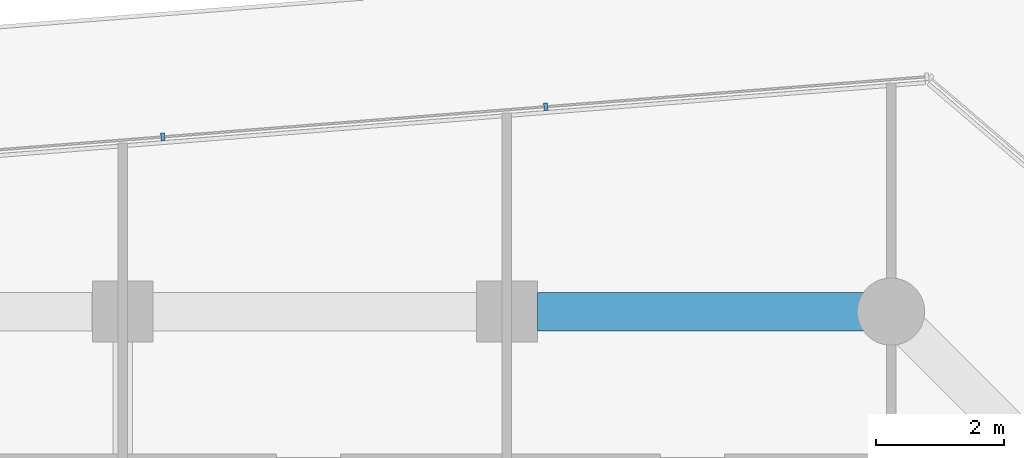
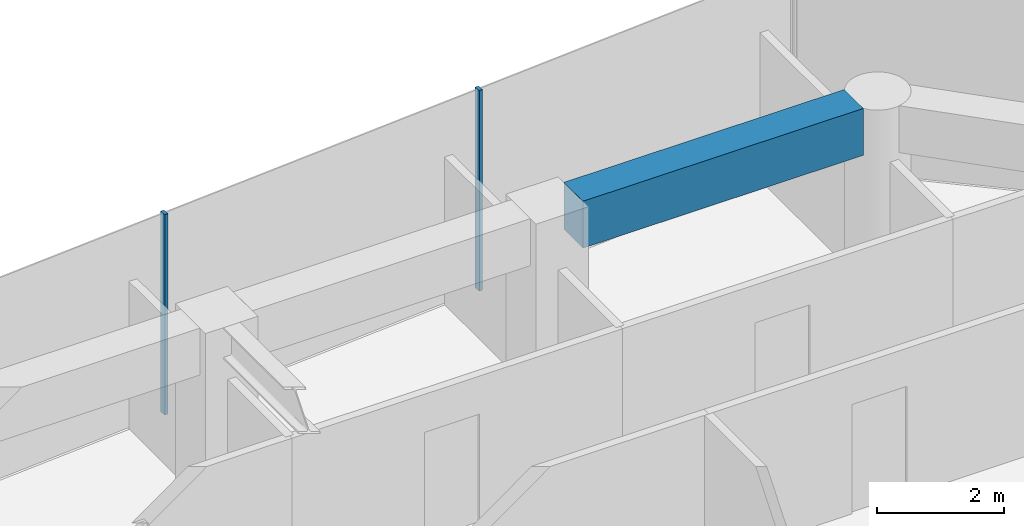
# One storey, part 11 of 28: 2 members, 1 beam, 1 element without a shape of its own.
"""IFC4 building model written with IfcOpenShell, lengths in metres."""

from ifc_helpers import new_model, si_unit, direction, frame, origin, origin_2d, place, context, subcontext, project, spatial, rectangle, extrude, material, layer, layer_set, material_profile, profile_set, type_object, element, aggregate, save


model = new_model("IFC4")

# Units and contexts
model_context = context("Model", 3, precision=1e-05, world=origin(), true_north=direction((0.0, 1.0)))
body_context = subcontext(model_context, "Body", "Model", "MODEL_VIEW")
ifc_project = project(units=[si_unit("LENGTHUNIT", "METRE"), si_unit("AREAUNIT", "SQUARE_METRE"), si_unit("VOLUMEUNIT", "CUBIC_METRE"), si_unit("PLANEANGLEUNIT", "RADIAN"), si_unit("MASSUNIT", "GRAM", prefix="KILO")], contexts=[model_context])

# Site, building, storey
site_placement = place(None, origin())
site = spatial("IfcSite", under=ifc_project, at=site_placement, CompositionType="ELEMENT")
building_placement = place(site_placement, origin())
building = spatial("IfcBuilding", under=site, at=building_placement, Name="Welwitschia Terrace Campus", CompositionType="ELEMENT")
storey_placement = place(building_placement, frame((0.0, 0.0, 71.0)))
storey = spatial("IfcBuildingStorey", under=building, at=storey_placement, Name="L16", CompositionType="ELEMENT", Elevation=71.0)

# Curtain wall, members
ifc_material_1 = material(Name="Bronze anodised aluminium", Category="aluminium")
ifc_layer = layer(ifc_material_1, 0.1201171875)
ifc_layer_set = layer_set([ifc_layer], Name="Bronze anodised aluminium")
curtain_wall_type = type_object("IfcCurtainWallType", Name="Curtain wall CW2 tower 6000", PredefinedType="NOTDEFINED", material=ifc_layer_set)
curtain_wall_placement = place(storey_placement, origin())
curtain_wall = element("IfcCurtainWall", 1, at=curtain_wall_placement, inside=storey, type_object=curtain_wall_type, Name="CW L16.11.0", PredefinedType="NOTDEFINED")
ifc_material_2 = material(Name="Bronze anodised aluminium", Category="aluminium")
ifc_material_profile_1 = material_profile(ifc_material_2, rectangle(XDim=0.1201171875, YDim=0.06005859375, at=origin_2d()))
ifc_profile_set_1 = profile_set([ifc_material_profile_1], Name="Bronze anodised aluminium")
member_type = type_object("IfcMemberType", Name="Mullion 60x120", PredefinedType="MULLION", material=ifc_profile_set_1)
member_1_placement = place(storey_placement, frame((54.607666015625, 23.19970703125, 0.0), z_axis=(0.0, 0.0, 1.0), x_axis=(0.078459095728, -0.996917333733, 0.0)))
member_1 = element("IfcMember", 2, at=member_1_placement, type_object=member_type, Name="Mullion L16.11.0.1", PredefinedType="MULLION", context=body_context, shape_type="SweptSolid", body=[
    extrude(rectangle(XDim=0.1201171875, YDim=0.06005859375, at=origin_2d()), origin(), (0.0, 0.0, 1.0), 3.85009765625),
])
member_2_placement = place(storey_placement, frame((48.626220703125, 22.72900390625, 0.0), z_axis=(0.0, 0.0, 1.0), x_axis=(0.078459095728, -0.996917333733, 0.0)))
member_2 = element("IfcMember", 3, at=member_2_placement, type_object=member_type, Name="Mullion L16.11.0.2", PredefinedType="MULLION", context=body_context, shape_type="SweptSolid", body=[
    extrude(rectangle(XDim=0.1201171875, YDim=0.06005859375, at=origin_2d()), origin(), (0.0, 0.0, 1.0), 3.85009765625),
])
aggregate(curtain_wall, [member_1, member_2])

# Beam
ifc_material_3 = material(Name="Concrete C60/75", Category="concrete")
ifc_material_profile_2 = material_profile(ifc_material_3, rectangle(XDim=0.60009765625, YDim=0.89990234375, at=origin_2d()))
ifc_profile_set_2 = profile_set([ifc_material_profile_2], Name="Concrete C60/75")
beam_type = type_object("IfcBeamType", Name="Ring spandrel 600x900", PredefinedType="SPANDREL", material=ifc_profile_set_2)
beam_placement = place(storey_placement, frame((59.568603515625, 20.0, 3.39990234375), z_axis=(-1.0, 0.0, 0.0), x_axis=(0.0, -1.0, 0.0)))
element("IfcBeam", 4, at=beam_placement, inside=storey, type_object=beam_type, Name="Spandrel SP2", PredefinedType="SPANDREL", context=body_context, shape_type="SweptSolid", body=[
    extrude(rectangle(XDim=0.60009765625, YDim=0.89990234375, at=origin_2d()), origin(), (0.0, 0.0, 1.0), 5.093017578125),
])

save(model, "model.ifc")
